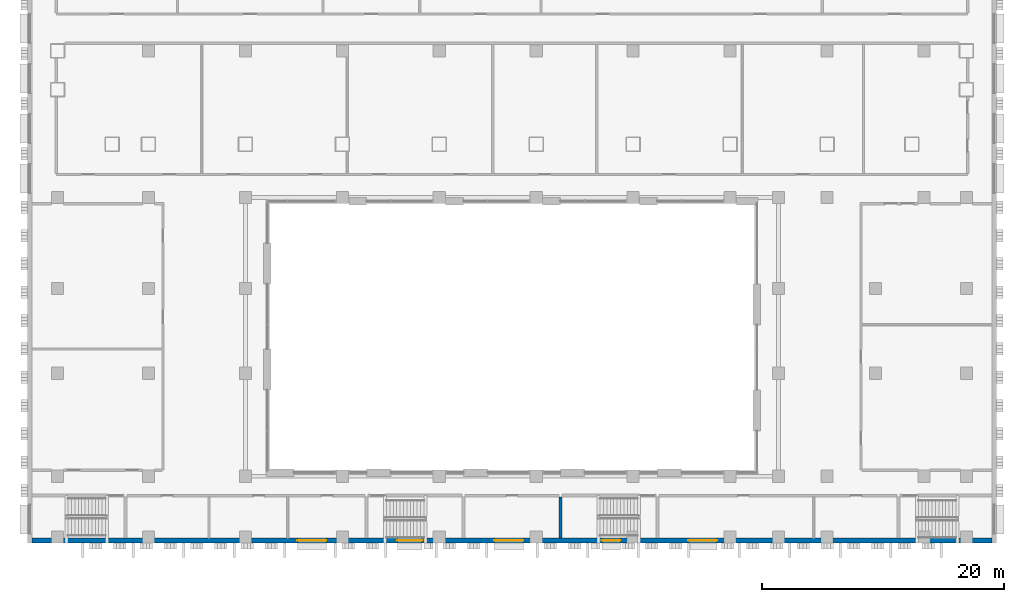
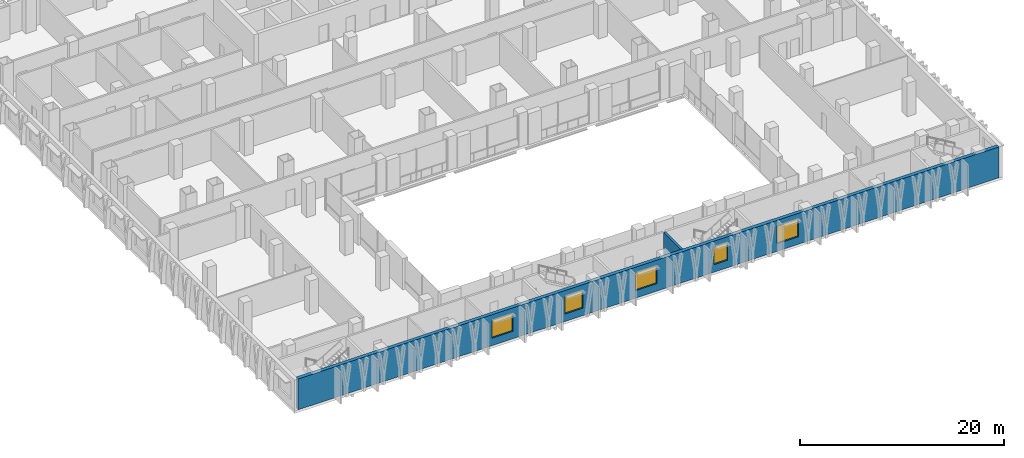
# One storey, part 8 of 25: 5 windows, 2 walls, 5 openings.
"""IFC4 building model written with IfcOpenShell, lengths in metres."""

import ifcopenshell
import ifcopenshell.guid

model = None  # the IFC model being written
_history = None  # IfcOwnerHistory: only IFC2X3 demands one
_inside = {}  # id of a spatial element -> (the spatial element, [elements in it])
_under = {}  # id of a project, library or spatial element -> (it, [spatial elements below it])
_declared = {}  # id of a project -> (the project, [libraries it declares])
_typed = {}  # id of a type object -> (the type object, [elements of that type])
_made_of = {}  # id of a material, layer set ... -> (it, [elements and type objects made of it])


def new_model(schema):
    """Start an empty IFC model of exactly this schema.

    Asked for "IFC4X3", IfcOpenShell would pick the latest addendum, in which some entities
    have other attributes; the version numbers below select the first issue.
    IFC2X3 requires an IfcOwnerHistory on every rooted entity: one is made here for all.
    """
    global model, _history
    if schema == "IFC4X3":
        model = ifcopenshell.file(schema_version=(4, 3, 0, 0))
    else:
        model = ifcopenshell.file(schema=schema)
    _inside.clear()
    _under.clear()
    _declared.clear()
    _typed.clear()
    _made_of.clear()
    _history = None
    if model.schema == "IFC2X3":
        org = make("IfcOrganization", Name="unknown")
        user = make(
            "IfcPersonAndOrganization",
            ThePerson=make("IfcPerson", FamilyName="unknown"),
            TheOrganization=org,
        )
        app = make(
            "IfcApplication",
            ApplicationDeveloper=org,
            Version="unknown",
            ApplicationFullName="unknown",
            ApplicationIdentifier="unknown",
        )
        _history = make(
            "IfcOwnerHistory",
            OwningUser=user,
            OwningApplication=app,
            ChangeAction="ADDED",
            CreationDate=0,
        )
    return model


def make(cls, **values):
    """One entity of the class cls with the attributes given. An attribute that is None is left unset."""
    return model.create_entity(
        cls, **{name: value for name, value in values.items() if value is not None}
    )


def rooted(cls, **values):
    """An entity with a GlobalId (a new one), such as an element, a storey or a relation."""
    return make(cls, GlobalId=ifcopenshell.guid.new(), OwnerHistory=_history, **values)


def si_unit(unit_type, name, prefix=None):
    """IfcSIUnit, for example si_unit("LENGTHUNIT", "METRE", prefix="MILLI")."""
    return make("IfcSIUnit", UnitType=unit_type, Prefix=prefix, Name=name)


def assignment(units):
    """IfcUnitAssignment: the units of a project."""
    return None if units is None else make("IfcUnitAssignment", Units=units)


def point(xyz):
    """IfcCartesianPoint."""
    return None if xyz is None else make("IfcCartesianPoint", Coordinates=xyz)


def direction(xyz):
    """IfcDirection."""
    return None if xyz is None else make("IfcDirection", DirectionRatios=xyz)


def frame(location, z_axis=None, x_axis=None):
    """IfcAxis2Placement3D, a coordinate frame: its origin and axes. An axis left out is left unset."""
    return make(
        "IfcAxis2Placement3D",
        Location=point(location),
        Axis=direction(z_axis),
        RefDirection=direction(x_axis),
    )


def frame_2d(location, x_axis=None):
    """IfcAxis2Placement2D, a coordinate frame in the plane: its origin and x axis."""
    return make(
        "IfcAxis2Placement2D", Location=point(location), RefDirection=direction(x_axis)
    )


def origin():
    """The frame at (0, 0, 0) with its axes left unset."""
    return frame((0.0, 0.0, 0.0))


def place(relative_to, where):
    """IfcLocalPlacement: puts the frame where relative to a parent placement (None: the world)."""
    return make(
        "IfcLocalPlacement", PlacementRelTo=relative_to, RelativePlacement=where
    )


def context(
    kind, dimensions, precision=None, world=None, true_north=None, identifier=None
):
    """IfcGeometricRepresentationContext, for example the 3D "Model" context."""
    return make(
        "IfcGeometricRepresentationContext",
        ContextIdentifier=identifier,
        ContextType=kind,
        CoordinateSpaceDimension=dimensions,
        Precision=precision,
        WorldCoordinateSystem=world,
        TrueNorth=true_north,
    )


def subcontext(parent, identifier, kind, view, scale=None):
    """IfcGeometricRepresentationSubContext, for example "Body" below "Model"."""
    return make(
        "IfcGeometricRepresentationSubContext",
        ContextIdentifier=identifier,
        ContextType=kind,
        ParentContext=parent,
        TargetScale=scale,
        TargetView=view,
    )


def project(units=None, contexts=None):
    """IfcProject with its units and contexts."""
    return rooted(
        "IfcProject",
        Name="project",
        RepresentationContexts=contexts,
        UnitsInContext=assignment(units),
    )


def spatial(cls, under=None, at=None, **own):
    """A site, building, storey or space (cls), placed at a placement, below another one or the project."""
    s = rooted(cls, ObjectPlacement=at, **own)
    if under is not None:
        _under.setdefault(under.id(), (under, []))[1].append(s)
    return s


def profile(cls, at=None, kind="AREA", **sizes):
    """A parametric profile (cls). Its sizes go by their IFC names, for example OverallWidth=200.0."""
    return make(cls, ProfileType=kind, Position=at, **sizes)


def rectangle(**sizes):
    """IfcRectangleProfileDef."""
    return profile("IfcRectangleProfileDef", **sizes)


def extrude(swept, where, along, depth):
    """IfcExtrudedAreaSolid: the profile swept, set in the frame where, extruded along a direction by depth."""
    return make(
        "IfcExtrudedAreaSolid",
        SweptArea=swept,
        Position=where,
        ExtrudedDirection=direction(along),
        Depth=depth,
    )


def shape(context_of_items, identifier, shape_type, items):
    """IfcShapeRepresentation: the items that make up one representation, for example the "Body"."""
    return make(
        "IfcShapeRepresentation",
        ContextOfItems=context_of_items,
        RepresentationIdentifier=identifier,
        RepresentationType=shape_type,
        Items=items,
    )


def material(Name=None, Category=None):
    """IfcMaterial."""
    return make("IfcMaterial", Name=Name, Category=Category)


def layer(
    of_material, thickness, ventilated=None, Name=None, Category=None, Priority=None
):
    """IfcMaterialLayer: one layer of a wall or slab, of a material (None: an air gap)."""
    return make(
        "IfcMaterialLayer",
        Material=of_material,
        LayerThickness=thickness,
        IsVentilated=ventilated,
        Name=Name,
        Category=Category,
        Priority=Priority,
    )


def layer_set(layers, Name=None):
    """IfcMaterialLayerSet."""
    return make("IfcMaterialLayerSet", MaterialLayers=layers, LayerSetName=Name)


def made_of(thing, what):
    """Note that an element or type object is made of a material, layer set ...; save() writes the relation."""
    if what is not None:
        _made_of.setdefault(what.id(), (what, []))[1].append(thing)
    return thing


def type_object(cls, material=None, **own):
    """A type object (cls), such as IfcWallType, which elements share."""
    return made_of(rooted(cls, **own), material)


def element(
    cls,
    number,
    at=None,
    inside=None,
    cuts=None,
    type_object=None,
    material=None,
    context=None,
    identifier="Body",
    shape_type=None,
    held_by="IfcProductDefinitionShape",
    body=None,
    shapes=None,
    **own,
):
    """One element of the class cls, such as IfcWall. Its Tag is "e" and its number.

    at: its placement. inside: the storey or other place that contains it. cuts: it is an
    opening in that element (IfcRelVoidsElement). A single representation is given by context,
    identifier, shape_type and body (its items); several are given by shapes. held_by: the class
    of the entity that holds the representations. save() writes the other relations.
    """
    e = rooted(cls, Tag="e%d" % number, ObjectPlacement=at, **own)
    if body is not None:
        shapes = [shape(context, identifier, shape_type, body)]
    if shapes is not None:
        e.Representation = make(held_by, Representations=shapes)
    if inside is not None:
        _inside.setdefault(inside.id(), (inside, []))[1].append(e)
    if cuts is not None:
        rooted(
            "IfcRelVoidsElement", RelatingBuildingElement=cuts, RelatedOpeningElement=e
        )
    if type_object is not None:
        _typed.setdefault(type_object.id(), (type_object, []))[1].append(e)
    return made_of(e, material)


def fill(opening, filler):
    """IfcRelFillsElement: the door or window that sits in an opening."""
    return rooted(
        "IfcRelFillsElement",
        RelatingOpeningElement=opening,
        RelatedBuildingElement=filler,
    )


def aggregate(whole, parts):
    """IfcRelAggregates: a whole, such as a stair, and the parts it consists of."""
    return rooted("IfcRelAggregates", RelatingObject=whole, RelatedObjects=parts)


def save(model, path):
    """Write the relations noted so far, then the file.

    IfcRelAggregates (storeys below a building ...), IfcRelContainedInSpatialStructure (elements
    in a storey), IfcRelDefinesByType, IfcRelAssociatesMaterial and IfcRelDeclares: one each for
    every whole, place, type object, material and project.
    """
    for whole, parts in _under.values():
        aggregate(whole, parts)
    for where, things in _inside.values():
        rooted(
            "IfcRelContainedInSpatialStructure",
            RelatedElements=things,
            RelatingStructure=where,
        )
    for kind, things in _typed.values():
        rooted("IfcRelDefinesByType", RelatedObjects=things, RelatingType=kind)
    for what, things in _made_of.values():
        rooted("IfcRelAssociatesMaterial", RelatedObjects=things, RelatingMaterial=what)
    for by, libraries in _declared.values():
        rooted("IfcRelDeclares", RelatingContext=by, RelatedDefinitions=libraries)
    model.write(path)


model = new_model("IFC4")

# Units and contexts
model_context = context("Model", 3, precision=1e-05, world=origin(), true_north=direction((0.0, 1.0)))
body_context = subcontext(model_context, "Body", "Model", "MODEL_VIEW")
ifc_project = project(units=[si_unit("LENGTHUNIT", "METRE"), si_unit("AREAUNIT", "SQUARE_METRE"), si_unit("VOLUMEUNIT", "CUBIC_METRE"), si_unit("PLANEANGLEUNIT", "RADIAN"), si_unit("MASSUNIT", "GRAM", prefix="KILO")], contexts=[model_context])

# Site, building, storey
site_placement = place(None, origin())
site = spatial("IfcSite", under=ifc_project, at=site_placement, CompositionType="ELEMENT")
building_placement = place(site_placement, origin())
building = spatial("IfcBuilding", under=site, at=building_placement, Name="Vidyagriha Tower", CompositionType="ELEMENT")
storey_placement = place(building_placement, frame((0.0, 0.0, 14.0)))
storey = spatial("IfcBuildingStorey", under=building, at=storey_placement, Name="L03", CompositionType="ELEMENT", Elevation=14.0)

# Wall, openings, windows
ifc_material_1 = material(Name="Concrete C40/50 board-marked with brick facing", Category="concrete")
ifc_layer_1 = layer(ifc_material_1, 0.39990234375)
ifc_layer_set_1 = layer_set([ifc_layer_1], Name="Concrete C40/50 board-marked with brick facing")
wall_type_1 = type_object("IfcWallType", Name="Brick-faced board-marked concrete podium wall 400", PredefinedType="STANDARD", material=ifc_layer_set_1)
wall_1_placement = place(storey_placement, frame((-39.60009765625, -49.800048828125, 0.0)))
wall_1 = element("IfcWall", 1, at=wall_1_placement, inside=storey, type_object=wall_type_1, Name="Podium wall L03 R06", PredefinedType="STANDARD", context=body_context, shape_type="SweptSolid", body=[
    extrude(rectangle(XDim=79.2001953125, YDim=0.39990234375, at=frame_2d((39.60009765625, 0.0))), origin(), (0.0, 0.0, 1.0), 3.699951171875),
])
opening_1_placement = place(wall_1_placement, frame((21.885009765625, 0.0, 0.89990234375)))
opening_1 = element("IfcOpeningElement", 2, at=opening_1_placement, cuts=wall_1, Name="Opening WN3", PredefinedType="OPENING", context=body_context, shape_type="SweptSolid", body=[
    extrude(rectangle(XDim=2.39990234375, YDim=2.10009765625, at=frame_2d((1.199951171875, 1.050048828125))), frame((0.0, 0.2099609375, 0.0), z_axis=(0.0, -1.0, 0.0), x_axis=(1.0, 0.0, 0.0)), (0.0, 0.0, 1.0), 0.419921875),
])
opening_2_placement = place(wall_1_placement, frame((30.135009765625, 0.0, 0.89990234375)))
opening_2 = element("IfcOpeningElement", 3, at=opening_2_placement, cuts=wall_1, Name="Opening WN7", PredefinedType="OPENING", context=body_context, shape_type="SweptSolid", body=[
    extrude(rectangle(XDim=2.050048828125, YDim=2.10009765625, at=frame_2d((1.02490234375, 1.050048828125))), frame((0.0, 0.2099609375, 0.0), z_axis=(0.0, -1.0, 0.0), x_axis=(1.0, 0.0, 0.0)), (0.0, 0.0, 1.0), 0.419921875),
])
opening_3_placement = place(wall_1_placement, frame((38.135009765625, 0.0, 0.89990234375)))
opening_3 = element("IfcOpeningElement", 4, at=opening_3_placement, cuts=wall_1, Name="Opening WN3", PredefinedType="OPENING", context=body_context, shape_type="SweptSolid", body=[
    extrude(rectangle(XDim=2.39990234375, YDim=2.10009765625, at=frame_2d((1.199951171875, 1.050048828125))), frame((0.0, 0.2099609375, 0.0), z_axis=(0.0, -1.0, 0.0), x_axis=(1.0, 0.0, 0.0)), (0.0, 0.0, 1.0), 0.419921875),
])
opening_4_placement = place(wall_1_placement, frame((47.014892578125, 0.0, 0.89990234375)))
opening_4 = element("IfcOpeningElement", 5, at=opening_4_placement, cuts=wall_1, Name="Opening WN8", PredefinedType="OPENING", context=body_context, shape_type="SweptSolid", body=[
    extrude(rectangle(XDim=1.52001953125, YDim=2.10009765625, at=frame_2d((0.760009765625, 1.050048828125))), frame((0.0, 0.2099609375, 0.0), z_axis=(0.0, -1.0, 0.0), x_axis=(1.0, 0.0, 0.0)), (0.0, 0.0, 1.0), 0.419921875),
])
opening_5_placement = place(wall_1_placement, frame((54.135009765625, 0.0, 0.89990234375)))
opening_5 = element("IfcOpeningElement", 6, at=opening_5_placement, cuts=wall_1, Name="Opening WN3", PredefinedType="OPENING", context=body_context, shape_type="SweptSolid", body=[
    extrude(rectangle(XDim=2.39990234375, YDim=2.10009765625, at=frame_2d((1.199951171875, 1.050048828125))), frame((0.0, 0.2099609375, 0.0), z_axis=(0.0, -1.0, 0.0), x_axis=(1.0, 0.0, 0.0)), (0.0, 0.0, 1.0), 0.419921875),
])
ifc_material_2 = material(Name="Aluminium and glass window", Category="aluminium")
window_type_1 = type_object("IfcWindowType", Name="Podium school window 1520x2100", PartitioningType="NOTDEFINED", PredefinedType="WINDOW", material=ifc_material_2)
window_1_placement = place(opening_4_placement, origin())
window_1 = element("IfcWindow", 7, at=window_1_placement, inside=storey, type_object=window_type_1, Name="School window L03 R06.25", OverallHeight=2.10009765625, OverallWidth=1.52001953125, PartitioningType="SINGLE_PANEL", PredefinedType="WINDOW", context=body_context, shape_type="SweptSolid", body=[
    extrude(rectangle(XDim=1.52001953125, YDim=2.10009765625, at=frame_2d((0.760009765625, 1.050048828125))), frame((0.0, 0.030029296875, 0.0), z_axis=(0.0, -1.0, 0.0), x_axis=(1.0, 0.0, 0.0)), (0.0, 0.0, 1.0), 0.06005859375),
])
fill(opening_4, window_1)
ifc_material_3 = material(Name="Aluminium and glass window", Category="aluminium")
window_type_2 = type_object("IfcWindowType", Name="Podium school window 2050x2100", PartitioningType="NOTDEFINED", PredefinedType="WINDOW", material=ifc_material_3)
window_2_placement = place(opening_2_placement, origin())
window_2 = element("IfcWindow", 8, at=window_2_placement, inside=storey, type_object=window_type_2, Name="School window L03 R06.17", OverallHeight=2.10009765625, OverallWidth=2.050048828125, PartitioningType="SINGLE_PANEL", PredefinedType="WINDOW", context=body_context, shape_type="SweptSolid", body=[
    extrude(rectangle(XDim=2.050048828125, YDim=2.10009765625, at=frame_2d((1.02490234375, 1.050048828125))), frame((0.0, 0.030029296875, 0.0), z_axis=(0.0, -1.0, 0.0), x_axis=(1.0, 0.0, 0.0)), (0.0, 0.0, 1.0), 0.06005859375),
])
fill(opening_2, window_2)
ifc_material_4 = material(Name="Aluminium and glass window", Category="aluminium")
window_type_3 = type_object("IfcWindowType", Name="Podium school window 2400x2100", PartitioningType="NOTDEFINED", PredefinedType="WINDOW", material=ifc_material_4)
window_3_placement = place(opening_1_placement, origin())
window_3 = element("IfcWindow", 9, at=window_3_placement, inside=storey, type_object=window_type_3, Name="School window L03 R06.13", OverallHeight=2.10009765625, OverallWidth=2.39990234375, PartitioningType="SINGLE_PANEL", PredefinedType="WINDOW", context=body_context, shape_type="SweptSolid", body=[
    extrude(rectangle(XDim=2.39990234375, YDim=2.10009765625, at=frame_2d((1.199951171875, 1.050048828125))), frame((0.0, 0.030029296875, 0.0), z_axis=(0.0, -1.0, 0.0), x_axis=(1.0, 0.0, 0.0)), (0.0, 0.0, 1.0), 0.06005859375),
])
fill(opening_1, window_3)
window_4_placement = place(opening_3_placement, origin())
window_4 = element("IfcWindow", 10, at=window_4_placement, inside=storey, type_object=window_type_3, Name="School window L03 R06.21", OverallHeight=2.10009765625, OverallWidth=2.39990234375, PartitioningType="SINGLE_PANEL", PredefinedType="WINDOW", context=body_context, shape_type="SweptSolid", body=[
    extrude(rectangle(XDim=2.39990234375, YDim=2.10009765625, at=frame_2d((1.199951171875, 1.050048828125))), frame((0.0, 0.030029296875, 0.0), z_axis=(0.0, -1.0, 0.0), x_axis=(1.0, 0.0, 0.0)), (0.0, 0.0, 1.0), 0.06005859375),
])
fill(opening_3, window_4)
window_5_placement = place(opening_5_placement, origin())
window_5 = element("IfcWindow", 11, at=window_5_placement, inside=storey, type_object=window_type_3, Name="School window L03 R06.29", OverallHeight=2.10009765625, OverallWidth=2.39990234375, PartitioningType="SINGLE_PANEL", PredefinedType="WINDOW", context=body_context, shape_type="SweptSolid", body=[
    extrude(rectangle(XDim=2.39990234375, YDim=2.10009765625, at=frame_2d((1.199951171875, 1.050048828125))), frame((0.0, 0.030029296875, 0.0), z_axis=(0.0, -1.0, 0.0), x_axis=(1.0, 0.0, 0.0)), (0.0, 0.0, 1.0), 0.06005859375),
])
fill(opening_5, window_5)

# Wall
ifc_material_5 = material(Name="Concrete C32/40", Category="concrete")
ifc_layer_2 = layer(ifc_material_5, 0.25)
ifc_layer_set_2 = layer_set([ifc_layer_2], Name="Concrete C32/40")
wall_type_2 = type_object("IfcWallType", Name="Concrete Stair Enclosure Wall 250", PredefinedType="SOLIDWALL", material=ifc_layer_set_2)
wall_2_placement = place(storey_placement, frame((4.0, -49.60009765625, 0.0), z_axis=(0.0, 0.0, 1.0), x_axis=(0.0, 1.0, 0.0)))
element("IfcWall", 12, at=wall_2_placement, inside=storey, type_object=wall_type_2, Name="L03 Concrete Stair Enclosure Wall 250 063", PredefinedType="SOLIDWALL", context=body_context, shape_type="SweptSolid", body=[
    extrude(rectangle(XDim=3.375, YDim=0.25, at=frame_2d((1.6875, 0.0))), origin(), (0.0, 0.0, 1.0), 3.699951171875),
])

save(model, "model.ifc")
